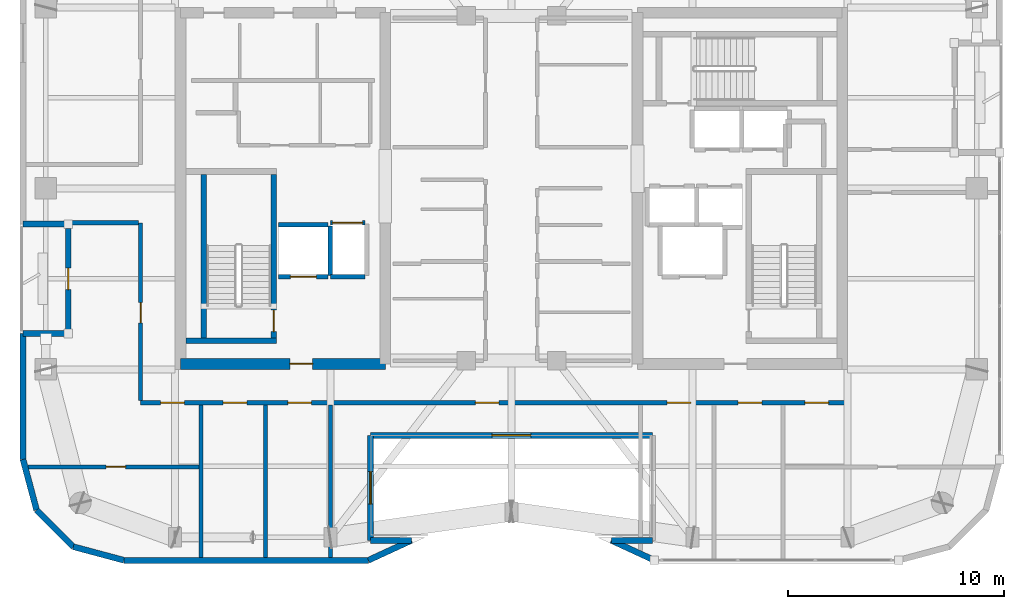
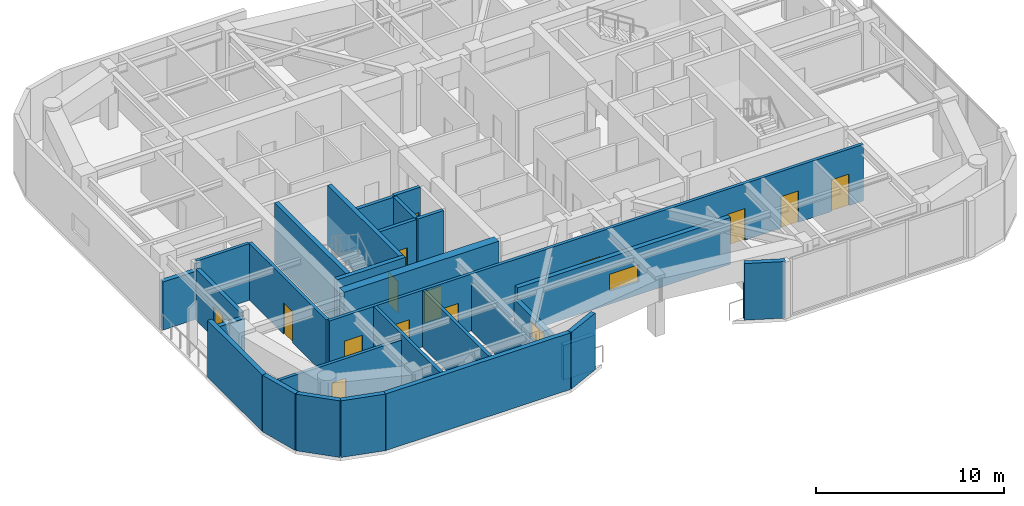
# One storey, part 10 of 16: 30 walls, 14 doors, 2 windows, 16 openings.
"""IFC4 building model written with IfcOpenShell, lengths in metres."""

from ifc_helpers import new_model, si_unit, direction, frame, frame_2d, origin, place, context, subcontext, project, spatial, rectangle, extrude, material, layer, layer_set, type_object, element, fill, save


model = new_model("IFC4")

# Units and contexts
model_context = context("Model", 3, precision=1e-05, world=origin(), true_north=direction((0.0, 1.0)))
body_context = subcontext(model_context, "Body", "Model", "MODEL_VIEW")
ifc_project = project(units=[si_unit("LENGTHUNIT", "METRE"), si_unit("AREAUNIT", "SQUARE_METRE"), si_unit("VOLUMEUNIT", "CUBIC_METRE"), si_unit("PLANEANGLEUNIT", "RADIAN"), si_unit("MASSUNIT", "GRAM", prefix="KILO")], contexts=[model_context])

# Site, building, storey
site_placement = place(None, origin())
site = spatial("IfcSite", under=ifc_project, at=site_placement, CompositionType="ELEMENT")
building_placement = place(site_placement, origin())
building = spatial("IfcBuilding", under=site, at=building_placement, Name="Kiyonajd Concourse Tower", CompositionType="ELEMENT")
storey_placement = place(building_placement, frame((0.0, 0.0, 298.5)))
storey = spatial("IfcBuildingStorey", under=building, at=storey_placement, Name="L75", CompositionType="ELEMENT", Elevation=298.5)

# Wall, opening, door
ifc_material_1 = material(Name="Concrete C60/75", Category="concrete")
ifc_layer_1 = layer(ifc_material_1, 0.5)
ifc_layer_set_1 = layer_set([ifc_layer_1], Name="Concrete C60/75")
wall_type_1 = type_object("IfcWallType", Name="WL-CORE-500", PredefinedType="SHEAR", material=ifc_layer_set_1)
wall_1_placement = place(storey_placement, frame((32.64990234375, 27.85009765625, 0.0), z_axis=(0.0, 0.0, 1.0), x_axis=(1.0, 0.0, 0.0)))
wall_1 = element("IfcWall", 1, at=wall_1_placement, inside=storey, type_object=wall_type_1, Name="L75 West Core South Shear Wall", PredefinedType="SHEAR", context=body_context, shape_type="SweptSolid", body=[
    extrude(rectangle(XDim=9.5, YDim=0.5, at=frame_2d((4.75, 0.0))), origin(), (0.0, 0.0, 1.0), 3.89990234375),
])
opening_1_placement = place(wall_1_placement, frame((5.074951171875, 0.0, 0.0)))
opening_1 = element("IfcOpeningElement", 2, at=opening_1_placement, cuts=wall_1, Name="Opening DF5", PredefinedType="OPENING", context=body_context, shape_type="SweptSolid", body=[
    extrude(rectangle(XDim=1.050048828125, YDim=2.0400390625, at=frame_2d((0.52490234375, 1.02001953125))), frame((0.0, 0.260009765625, 0.0), z_axis=(0.0, -1.0, 0.0), x_axis=(1.0, 0.0, 0.0)), (0.0, 0.0, 1.0), 0.52001953125),
])
ifc_material_2 = material(Name="Brushed Stainless Steel Cab Assembly", Category="steel")
door_type_1 = type_object("IfcDoorType", Name="DR-FD45-1050", OperationType="NOTDEFINED", PredefinedType="DOOR", material=ifc_material_2)
door_1_placement = place(opening_1_placement, origin())
door_1 = element("IfcDoor", 3, at=door_1_placement, inside=storey, type_object=door_type_1, Name="L75 Firefighting Lift Lobby W Smoke Door", OperationType="SINGLE_SWING_LEFT", OverallHeight=2.0400390625, OverallWidth=1.050048828125, PredefinedType="DOOR", context=body_context, shape_type="SweptSolid", body=[
    extrude(rectangle(XDim=1.050048828125, YDim=2.0400390625, at=frame_2d((0.52490234375, 1.02001953125))), frame((0.0, 0.02490234375, 0.0), z_axis=(0.0, -1.0, 0.0), x_axis=(1.0, 0.0, 0.0)), (0.0, 0.0, 1.0), 0.050048828125),
])
fill(opening_1, door_1)

# Walls
ifc_material_3 = material(Name="Precast concrete C50/60", Category="concrete")
ifc_layer_2 = layer(ifc_material_3, 0.280029296875)
ifc_layer_set_2 = layer_set([ifc_layer_2], Name="Precast concrete C50/60")
wall_type_2 = type_object("IfcWallType", Name="WL-EXT-280", PredefinedType="SOLIDWALL", material=ifc_layer_set_2)
wall_2_placement = place(storey_placement, frame((54.630615234375, 18.739990234375, 0.0), z_axis=(0.0, 0.0, 1.0), x_axis=(-0.9079593845, 0.419058177462, 0.0)))
element("IfcWall", 4, at=wall_2_placement, inside=storey, type_object=wall_type_2, Name="L75 Exterior Concrete Frame Wall 10", PredefinedType="SOLIDWALL", context=body_context, shape_type="SweptSolid", body=[
    extrude(rectangle(XDim=2.1953125, YDim=0.280029296875, at=frame_2d((1.09765625, 0.0))), origin(), (0.0, 0.0, 1.0), 3.679931640625),
])
wall_3_placement = place(storey_placement, frame((52.637451171875, 19.659912109375, 0.0), z_axis=(0.0, 0.0, 1.0), x_axis=(1.0, 0.0, 0.0)))
element("IfcWall", 5, at=wall_3_placement, inside=storey, type_object=wall_type_2, Name="L75 Exterior Concrete Frame Wall 11", PredefinedType="SOLIDWALL", context=body_context, shape_type="SweptSolid", body=[
    extrude(rectangle(XDim=1.902587890625, YDim=0.280029296875, at=frame_2d((0.951171875, 0.0))), origin(), (0.0, 0.0, 1.0), 2.264892578125),
])

# Wall, opening, window
wall_4_placement = place(storey_placement, frame((54.5400390625, 24.5400390625, 0.0), z_axis=(0.0, 0.0, 1.0), x_axis=(-1.0, 0.0, 0.0)))
wall_4 = element("IfcWall", 6, at=wall_4_placement, inside=storey, type_object=wall_type_2, Name="L75 Exterior Concrete Frame Wall 13", PredefinedType="SOLIDWALL", context=body_context, shape_type="SweptSolid", body=[
    extrude(rectangle(XDim=13.080078125, YDim=0.280029296875, at=frame_2d((6.5400390625, 0.0))), origin(), (0.0, 0.0, 1.0), 3.04296875),
])
opening_2_placement = place(wall_4_placement, frame((5.639892578125, 0.0, 0.85009765625)))
opening_2 = element("IfcOpeningElement", 7, at=opening_2_placement, cuts=wall_4, Name="Opening WN1", PredefinedType="OPENING", context=body_context, shape_type="SweptSolid", body=[
    extrude(rectangle(XDim=1.800048828125, YDim=1.10009765625, at=frame_2d((0.89990234375, 0.550048828125))), frame((0.0, 0.14990234375, 0.0), z_axis=(0.0, -1.0, 0.0), x_axis=(1.0, 0.0, 0.0)), (0.0, 0.0, 1.0), 0.300048828125),
])
ifc_material_4 = material(Name="Double Low-E Insulated Glass", Category="glass")
window_type_1 = type_object("IfcWindowType", Name="WN-VIS-1800x1100", PartitioningType="SINGLE_PANEL", PredefinedType="WINDOW", material=ifc_material_4)
window_1_placement = place(opening_2_placement, origin())
window_1 = element("IfcWindow", 8, at=window_1_placement, inside=storey, type_object=window_type_1, Name="L75 Modular Facade Vision Window 13", OverallHeight=1.10009765625, OverallWidth=1.800048828125, PartitioningType="SINGLE_PANEL", PredefinedType="WINDOW", context=body_context, shape_type="SweptSolid", body=[
    extrude(rectangle(XDim=1.800048828125, YDim=1.10009765625, at=frame_2d((0.89990234375, 0.550048828125))), frame((0.0, 0.030029296875, 0.0), z_axis=(0.0, -1.0, 0.0), x_axis=(1.0, 0.0, 0.0)), (0.0, 0.0, 1.0), 0.06005859375),
])
fill(opening_2, window_1)

wall_5_placement = place(storey_placement, frame((41.4599609375, 24.5400390625, 0.0), z_axis=(0.0, 0.0, 1.0), x_axis=(0.0, -1.0, 0.0)))
wall_5 = element("IfcWall", 9, at=wall_5_placement, inside=storey, type_object=wall_type_2, Name="L75 Exterior Concrete Frame Wall 14", PredefinedType="SOLIDWALL", context=body_context, shape_type="SweptSolid", body=[
    extrude(rectangle(XDim=4.880126953125, YDim=0.280029296875, at=frame_2d((2.43994140625, 0.0))), origin(), (0.0, 0.0, 1.0), 2.264892578125),
])
opening_3_placement = place(wall_5_placement, frame((1.68994140625, 0.0, 0.85009765625)))
opening_3 = element("IfcOpeningElement", 10, at=opening_3_placement, cuts=wall_5, Name="Opening WN2", PredefinedType="OPENING", context=body_context, shape_type="SweptSolid", body=[
    extrude(rectangle(XDim=1.5, YDim=1.10009765625, at=frame_2d((0.75, 0.550048828125))), frame((0.0, 0.14990234375, 0.0), z_axis=(0.0, -1.0, 0.0), x_axis=(1.0, 0.0, 0.0)), (0.0, 0.0, 1.0), 0.300048828125),
])
window_type_2 = type_object("IfcWindowType", Name="WN-VIS-1500x1100", PartitioningType="SINGLE_PANEL", PredefinedType="WINDOW", material=ifc_material_4)
window_2_placement = place(opening_3_placement, origin())
window_2 = element("IfcWindow", 11, at=window_2_placement, inside=storey, type_object=window_type_2, Name="L75 Modular Facade Vision Window 14", OverallHeight=1.10009765625, OverallWidth=1.5, PartitioningType="SINGLE_PANEL", PredefinedType="WINDOW", context=body_context, shape_type="SweptSolid", body=[
    extrude(rectangle(XDim=1.5, YDim=1.10009765625, at=frame_2d((0.75, 0.550048828125))), frame((0.0, 0.030029296875, 0.0), z_axis=(0.0, -1.0, 0.0), x_axis=(1.0, 0.0, 0.0)), (0.0, 0.0, 1.0), 0.06005859375),
])
fill(opening_3, window_2)

# Walls
wall_6_placement = place(storey_placement, frame((41.4599609375, 19.659912109375, 0.0), z_axis=(0.0, 0.0, 1.0), x_axis=(1.0, 0.0, 0.0)))
element("IfcWall", 12, at=wall_6_placement, inside=storey, type_object=wall_type_2, Name="L75 Exterior Concrete Frame Wall 15", PredefinedType="SOLIDWALL", context=body_context, shape_type="SweptSolid", body=[
    extrude(rectangle(XDim=1.902587890625, YDim=0.280029296875, at=frame_2d((0.951171875, 0.0))), origin(), (0.0, 0.0, 1.0), 2.264892578125),
])
wall_7_placement = place(storey_placement, frame((43.362548828125, 19.659912109375, 0.0), z_axis=(0.0, 0.0, 1.0), x_axis=(-0.9079593845, -0.419058177462, 0.0)))
element("IfcWall", 13, at=wall_7_placement, inside=storey, type_object=wall_type_2, Name="L75 Exterior Concrete Frame Wall 16", PredefinedType="SOLIDWALL", context=body_context, shape_type="SweptSolid", body=[
    extrude(rectangle(XDim=2.1953125, YDim=0.280029296875, at=frame_2d((1.09765625, 0.0))), origin(), (0.0, 0.0, 1.0), 3.679931640625),
])
wall_8_placement = place(storey_placement, frame((41.369384765625, 18.739990234375, 0.0), z_axis=(0.0, 0.0, 1.0), x_axis=(-1.0, 0.0, 0.0)))
element("IfcWall", 14, at=wall_8_placement, inside=storey, type_object=wall_type_2, Name="L75 Exterior Concrete Frame Wall 17", PredefinedType="SOLIDWALL", context=body_context, shape_type="SweptSolid", body=[
    extrude(rectangle(XDim=11.35107421875, YDim=0.280029296875, at=frame_2d((5.675537109375, 0.0))), origin(), (0.0, 0.0, 1.0), 3.679931640625),
])
wall_9_placement = place(storey_placement, frame((30.018310546875, 18.739990234375, 0.0), z_axis=(0.0, 0.0, 1.0), x_axis=(-0.965937282298, 0.25877628691, 0.0)))
element("IfcWall", 15, at=wall_9_placement, inside=storey, type_object=wall_type_2, Name="L75 Exterior Concrete Frame Wall 18", PredefinedType="SOLIDWALL", context=body_context, shape_type="SweptSolid", body=[
    extrude(rectangle(XDim=2.428466796875, YDim=0.280029296875, at=frame_2d((1.21435546875, 0.0))), origin(), (0.0, 0.0, 1.0), 3.679931640625),
])
wall_10_placement = place(storey_placement, frame((27.672607421875, 19.368408203125, 0.0), z_axis=(0.0, 0.0, 1.0), x_axis=(-0.707106781187, 0.707106781187, 0.0)))
element("IfcWall", 16, at=wall_10_placement, inside=storey, type_object=wall_type_2, Name="L75 Exterior Concrete Frame Wall 19", PredefinedType="SOLIDWALL", context=body_context, shape_type="SweptSolid", body=[
    extrude(rectangle(XDim=2.409912109375, YDim=0.280029296875, at=frame_2d((1.205078125, 0.0))), origin(), (0.0, 0.0, 1.0), 3.679931640625),
])
wall_11_placement = place(storey_placement, frame((25.968505859375, 21.072509765625, 0.0), z_axis=(0.0, 0.0, 1.0), x_axis=(-0.258751159445, 0.965944013639, 0.0)))
element("IfcWall", 17, at=wall_11_placement, inside=storey, type_object=wall_type_2, Name="L75 Exterior Concrete Frame Wall 20", PredefinedType="SOLIDWALL", context=body_context, shape_type="SweptSolid", body=[
    extrude(rectangle(XDim=2.4287109375, YDim=0.280029296875, at=frame_2d((1.21435546875, 0.0))), origin(), (0.0, 0.0, 1.0), 3.679931640625),
])
wall_12_placement = place(storey_placement, frame((25.340087890625, 23.41845703125, 0.0), z_axis=(0.0, 0.0, 1.0), x_axis=(0.0, 1.0, 0.0)))
element("IfcWall", 18, at=wall_12_placement, inside=storey, type_object=wall_type_2, Name="L75 Exterior Concrete Frame Wall 21", PredefinedType="SOLIDWALL", context=body_context, shape_type="SweptSolid", body=[
    extrude(rectangle(XDim=5.841552734375, YDim=0.280029296875, at=frame_2d((2.9208984375, 0.0))), origin(), (0.0, 0.0, 1.0), 3.679931640625),
])
for number, where, z_axis, x_axis, name in (
    (19, (25.340087890625, 29.260009765625, 0.0), (0.0, 0.0, 1.0), (1.0, 0.0, 0.0), "L75 Exterior Concrete Frame Wall 22"),
    (20, (27.43994140625, 34.340087890625, 0.0), (0.0, 0.0, 1.0), (-1.0, 0.0, 0.0), "L75 Exterior Concrete Frame Wall 24"),
):
    element("IfcWall", number, at=place(storey_placement, frame(where, z_axis=z_axis, x_axis=x_axis)), inside=storey, type_object=wall_type_2, Name=name, PredefinedType="SOLIDWALL", context=body_context, shape_type="SweptSolid", body=[
        extrude(rectangle(XDim=2.099853515625, YDim=0.280029296875, at=frame_2d((1.0498046875, 0.0))), origin(), (0.0, 0.0, 1.0), 3.1259765625),
    ])

# Wall, opening, door
ifc_layer_3 = layer(ifc_material_3, 0.239990234375)
ifc_layer_set_3 = layer_set([ifc_layer_3], Name="Precast concrete C50/60")
wall_type_3 = type_object("IfcWallType", Name="WL-LOG-240", PredefinedType="SOLIDWALL", material=ifc_layer_set_3)
wall_13_placement = place(storey_placement, frame((27.43994140625, 29.455078125, 0.0), z_axis=(0.0, 0.0, 1.0), x_axis=(0.0, 1.0, 0.0)))
wall_13 = element("IfcWall", 21, at=wall_13_placement, inside=storey, type_object=wall_type_3, Name="L75 Recessed Loggia Thermal Wall LOG-W", PredefinedType="SOLIDWALL", context=body_context, shape_type="SweptSolid", body=[
    extrude(rectangle(XDim=4.68994140625, YDim=0.239990234375, at=frame_2d((2.344970703125, 0.0))), origin(), (0.0, 0.0, 1.0), 3.31103515625),
])
opening_4_placement = place(wall_13_placement, frame((1.844970703125, 0.0, 0.0)))
opening_4 = element("IfcOpeningElement", 22, at=opening_4_placement, cuts=wall_13, Name="Opening DL1", PredefinedType="OPENING", context=body_context, shape_type="SweptSolid", body=[
    extrude(rectangle(XDim=1.0, YDim=2.02001953125, at=frame_2d((0.5, 1.010009765625))), frame((0.0, 0.1298828125, 0.0), z_axis=(0.0, -1.0, 0.0), x_axis=(1.0, 0.0, 0.0)), (0.0, 0.0, 1.0), 0.260009765625),
])
ifc_material_5 = material(Name="Thermally Broken Anodised Aluminium", Category="aluminium")
door_type_2 = type_object("IfcDoorType", Name="DR-LOG-1000", OperationType="NOTDEFINED", PredefinedType="DOOR", material=ifc_material_5)
door_2_placement = place(opening_4_placement, origin())
door_2 = element("IfcDoor", 23, at=door_2_placement, inside=storey, type_object=door_type_2, Name="L75 Engawa Loggia Access Door LOG-W", OperationType="SINGLE_SWING_LEFT", OverallHeight=2.02001953125, OverallWidth=1.0, PredefinedType="DOOR", context=body_context, shape_type="SweptSolid", body=[
    extrude(rectangle(XDim=1.0, YDim=2.02001953125, at=frame_2d((0.5, 1.010009765625))), frame((0.0, 0.02490234375, 0.0), z_axis=(0.0, -1.0, 0.0), x_axis=(1.0, 0.0, 0.0)), (0.0, 0.0, 1.0), 0.050048828125),
])
fill(opening_4, door_2)

# Wall, openings, doors
ifc_material_6 = material(Name="Gypsum Board on Cold-Formed Steel Stud", Category="steel")
ifc_layer_4 = layer(ifc_material_6, 0.18994140625)
ifc_layer_set_4 = layer_set([ifc_layer_4], Name="Gypsum Board on Cold-Formed Steel Stud")
wall_type_4 = type_object("IfcWallType", Name="WL-PLMB-190", PredefinedType="PLUMBINGWALL", material=ifc_layer_set_4)
wall_14_placement = place(storey_placement, frame((30.800048828125, 26.050048828125, 0.0), z_axis=(0.0, 0.0, 1.0), x_axis=(1.0, 0.0, 0.0)))
wall_14 = element("IfcWall", 24, at=wall_14_placement, inside=storey, type_object=wall_type_4, Name="L75 Interior Partition Wall", PredefinedType="PLUMBINGWALL", context=body_context, shape_type="SweptSolid", body=[
    extrude(rectangle(XDim=32.800048828125, YDim=0.18994140625, at=frame_2d((16.39990234375, 0.0))), origin(), (0.0, 0.0, 1.0), 3.679931640625),
])
opening_5_placement = place(wall_14_placement, frame((0.925048828125, 0.0, 0.0)))
opening_5 = element("IfcOpeningElement", 25, at=opening_5_placement, cuts=wall_14, Name="Opening DF2", PredefinedType="OPENING", context=body_context, shape_type="SweptSolid", body=[
    extrude(rectangle(XDim=1.10009765625, YDim=2.050048828125, at=frame_2d((0.550048828125, 1.02490234375))), frame((0.0, 0.10498046875, 0.0), z_axis=(0.0, -1.0, 0.0), x_axis=(1.0, 0.0, 0.0)), (0.0, 0.0, 1.0), 0.2099609375),
])
opening_6_placement = place(wall_14_placement, frame((3.824951171875, 0.0, 0.0)))
opening_6 = element("IfcOpeningElement", 26, at=opening_6_placement, cuts=wall_14, Name="Opening DF2", PredefinedType="OPENING", context=body_context, shape_type="SweptSolid", body=[
    extrude(rectangle(XDim=1.10009765625, YDim=2.050048828125, at=frame_2d((0.550048828125, 1.02490234375))), frame((0.0, 0.10498046875, 0.0), z_axis=(0.0, -1.0, 0.0), x_axis=(1.0, 0.0, 0.0)), (0.0, 0.0, 1.0), 0.2099609375),
])
opening_7_placement = place(wall_14_placement, frame((6.824951171875, 0.0, 0.0)))
opening_7 = element("IfcOpeningElement", 27, at=opening_7_placement, cuts=wall_14, Name="Opening DF2", PredefinedType="OPENING", context=body_context, shape_type="SweptSolid", body=[
    extrude(rectangle(XDim=1.10009765625, YDim=2.050048828125, at=frame_2d((0.550048828125, 1.02490234375))), frame((0.0, 0.10498046875, 0.0), z_axis=(0.0, -1.0, 0.0), x_axis=(1.0, 0.0, 0.0)), (0.0, 0.0, 1.0), 0.2099609375),
])
opening_8_placement = place(wall_14_placement, frame((15.52490234375, 0.0, 0.0)))
opening_8 = element("IfcOpeningElement", 28, at=opening_8_placement, cuts=wall_14, Name="Opening DF2", PredefinedType="OPENING", context=body_context, shape_type="SweptSolid", body=[
    extrude(rectangle(XDim=1.10009765625, YDim=2.050048828125, at=frame_2d((0.550048828125, 1.02490234375))), frame((0.0, 0.10498046875, 0.0), z_axis=(0.0, -1.0, 0.0), x_axis=(1.0, 0.0, 0.0)), (0.0, 0.0, 1.0), 0.2099609375),
])
opening_9_placement = place(wall_14_placement, frame((24.425048828125, 0.0, 0.0)))
opening_9 = element("IfcOpeningElement", 29, at=opening_9_placement, cuts=wall_14, Name="Opening DF2", PredefinedType="OPENING", context=body_context, shape_type="SweptSolid", body=[
    extrude(rectangle(XDim=1.10009765625, YDim=2.050048828125, at=frame_2d((0.550048828125, 1.02490234375))), frame((0.0, 0.10498046875, 0.0), z_axis=(0.0, -1.0, 0.0), x_axis=(1.0, 0.0, 0.0)), (0.0, 0.0, 1.0), 0.2099609375),
])
opening_10_placement = place(wall_14_placement, frame((27.72509765625, 0.0, 0.0)))
opening_10 = element("IfcOpeningElement", 30, at=opening_10_placement, cuts=wall_14, Name="Opening DF2", PredefinedType="OPENING", context=body_context, shape_type="SweptSolid", body=[
    extrude(rectangle(XDim=1.10009765625, YDim=2.050048828125, at=frame_2d((0.550048828125, 1.02490234375))), frame((0.0, 0.10498046875, 0.0), z_axis=(0.0, -1.0, 0.0), x_axis=(1.0, 0.0, 0.0)), (0.0, 0.0, 1.0), 0.2099609375),
])
opening_11_placement = place(wall_14_placement, frame((30.824951171875, 0.0, 0.0)))
opening_11 = element("IfcOpeningElement", 31, at=opening_11_placement, cuts=wall_14, Name="Opening DF2", PredefinedType="OPENING", context=body_context, shape_type="SweptSolid", body=[
    extrude(rectangle(XDim=1.10009765625, YDim=2.050048828125, at=frame_2d((0.550048828125, 1.02490234375))), frame((0.0, 0.10498046875, 0.0), z_axis=(0.0, -1.0, 0.0), x_axis=(1.0, 0.0, 0.0)), (0.0, 0.0, 1.0), 0.2099609375),
])
door_type_3 = type_object("IfcDoorType", Name="DR-FD90-1100", OperationType="NOTDEFINED", PredefinedType="DOOR", material=ifc_material_2)
door_3_placement = place(opening_5_placement, origin())
door_3 = element("IfcDoor", 32, at=door_3_placement, inside=storey, type_object=door_type_3, Name="L75 Interior Door", OperationType="SINGLE_SWING_RIGHT", OverallHeight=2.050048828125, OverallWidth=1.10009765625, PredefinedType="DOOR", context=body_context, shape_type="SweptSolid", body=[
    extrude(rectangle(XDim=1.10009765625, YDim=2.050048828125, at=frame_2d((0.550048828125, 1.02490234375))), frame((0.0, 0.02490234375, 0.0), z_axis=(0.0, -1.0, 0.0), x_axis=(1.0, 0.0, 0.0)), (0.0, 0.0, 1.0), 0.050048828125),
])
fill(opening_5, door_3)
door_4_placement = place(opening_6_placement, origin())
door_4 = element("IfcDoor", 33, at=door_4_placement, inside=storey, type_object=door_type_3, Name="L75 Interior Door", OperationType="SINGLE_SWING_LEFT", OverallHeight=2.050048828125, OverallWidth=1.10009765625, PredefinedType="DOOR", context=body_context, shape_type="SweptSolid", body=[
    extrude(rectangle(XDim=1.10009765625, YDim=2.050048828125, at=frame_2d((0.550048828125, 1.02490234375))), frame((0.0, 0.02490234375, 0.0), z_axis=(0.0, -1.0, 0.0), x_axis=(1.0, 0.0, 0.0)), (0.0, 0.0, 1.0), 0.050048828125),
])
fill(opening_6, door_4)
door_5_placement = place(opening_7_placement, origin())
door_5 = element("IfcDoor", 34, at=door_5_placement, inside=storey, type_object=door_type_3, Name="L75 Interior Door", OperationType="SINGLE_SWING_RIGHT", OverallHeight=2.050048828125, OverallWidth=1.10009765625, PredefinedType="DOOR", context=body_context, shape_type="SweptSolid", body=[
    extrude(rectangle(XDim=1.10009765625, YDim=2.050048828125, at=frame_2d((0.550048828125, 1.02490234375))), frame((0.0, 0.02490234375, 0.0), z_axis=(0.0, -1.0, 0.0), x_axis=(1.0, 0.0, 0.0)), (0.0, 0.0, 1.0), 0.050048828125),
])
fill(opening_7, door_5)
door_6_placement = place(opening_8_placement, origin())
door_6 = element("IfcDoor", 35, at=door_6_placement, inside=storey, type_object=door_type_3, Name="L75 Interior Door", OperationType="SINGLE_SWING_LEFT", OverallHeight=2.050048828125, OverallWidth=1.10009765625, PredefinedType="DOOR", context=body_context, shape_type="SweptSolid", body=[
    extrude(rectangle(XDim=1.10009765625, YDim=2.050048828125, at=frame_2d((0.550048828125, 1.02490234375))), frame((0.0, 0.02490234375, 0.0), z_axis=(0.0, -1.0, 0.0), x_axis=(1.0, 0.0, 0.0)), (0.0, 0.0, 1.0), 0.050048828125),
])
fill(opening_8, door_6)
door_7_placement = place(opening_9_placement, origin())
door_7 = element("IfcDoor", 36, at=door_7_placement, inside=storey, type_object=door_type_3, Name="L75 Interior Door", OperationType="SINGLE_SWING_RIGHT", OverallHeight=2.050048828125, OverallWidth=1.10009765625, PredefinedType="DOOR", context=body_context, shape_type="SweptSolid", body=[
    extrude(rectangle(XDim=1.10009765625, YDim=2.050048828125, at=frame_2d((0.550048828125, 1.02490234375))), frame((0.0, 0.02490234375, 0.0), z_axis=(0.0, -1.0, 0.0), x_axis=(1.0, 0.0, 0.0)), (0.0, 0.0, 1.0), 0.050048828125),
])
fill(opening_9, door_7)
door_8_placement = place(opening_10_placement, origin())
door_8 = element("IfcDoor", 37, at=door_8_placement, inside=storey, type_object=door_type_3, Name="L75 Interior Door", OperationType="SINGLE_SWING_LEFT", OverallHeight=2.050048828125, OverallWidth=1.10009765625, PredefinedType="DOOR", context=body_context, shape_type="SweptSolid", body=[
    extrude(rectangle(XDim=1.10009765625, YDim=2.050048828125, at=frame_2d((0.550048828125, 1.02490234375))), frame((0.0, 0.02490234375, 0.0), z_axis=(0.0, -1.0, 0.0), x_axis=(1.0, 0.0, 0.0)), (0.0, 0.0, 1.0), 0.050048828125),
])
fill(opening_10, door_8)
door_9_placement = place(opening_11_placement, origin())
door_9 = element("IfcDoor", 38, at=door_9_placement, inside=storey, type_object=door_type_3, Name="L75 Interior Door", OperationType="SINGLE_SWING_LEFT", OverallHeight=2.050048828125, OverallWidth=1.10009765625, PredefinedType="DOOR", context=body_context, shape_type="SweptSolid", body=[
    extrude(rectangle(XDim=1.10009765625, YDim=2.050048828125, at=frame_2d((0.550048828125, 1.02490234375))), frame((0.0, 0.02490234375, 0.0), z_axis=(0.0, -1.0, 0.0), x_axis=(1.0, 0.0, 0.0)), (0.0, 0.0, 1.0), 0.050048828125),
])
fill(opening_11, door_9)

# Wall, opening, door
wall_15_placement = place(storey_placement, frame((30.800048828125, 26.14697265625, 0.0), z_axis=(0.0, 0.0, 1.0), x_axis=(0.0, 1.0, 0.0)))
wall_15 = element("IfcWall", 39, at=wall_15_placement, inside=storey, type_object=wall_type_4, Name="L75 Interior Partition Wall", PredefinedType="PLUMBINGWALL", context=body_context, shape_type="SweptSolid", body=[
    extrude(rectangle(XDim=8.2529296875, YDim=0.18994140625, at=frame_2d((4.12646484375, 0.0))), origin(), (0.0, 0.0, 1.0), 3.679931640625),
])
opening_12_placement = place(wall_15_placement, frame((3.60302734375, 0.0, 0.0)))
opening_12 = element("IfcOpeningElement", 40, at=opening_12_placement, cuts=wall_15, Name="Opening DI1", PredefinedType="OPENING", context=body_context, shape_type="SweptSolid", body=[
    extrude(rectangle(XDim=0.949951171875, YDim=2.0400390625, at=frame_2d((0.47509765625, 1.02001953125))), frame((0.0, 0.10498046875, 0.0), z_axis=(0.0, -1.0, 0.0), x_axis=(1.0, 0.0, 0.0)), (0.0, 0.0, 1.0), 0.2099609375),
])
ifc_material_7 = material(Name="Natural Oak Acoustic Timber Veneer", Category="wood")
door_type_4 = type_object("IfcDoorType", Name="DR-INT-950", OperationType="NOTDEFINED", PredefinedType="DOOR", material=ifc_material_7)
door_10_placement = place(opening_12_placement, origin())
door_10 = element("IfcDoor", 41, at=door_10_placement, inside=storey, type_object=door_type_4, Name="L75 Interior Door", OperationType="SINGLE_SWING_LEFT", OverallHeight=2.0400390625, OverallWidth=0.949951171875, PredefinedType="DOOR", context=body_context, shape_type="SweptSolid", body=[
    extrude(rectangle(XDim=0.949951171875, YDim=2.0400390625, at=frame_2d((0.47509765625, 1.02001953125))), frame((0.0, 0.02490234375, 0.0), z_axis=(0.0, -1.0, 0.0), x_axis=(1.0, 0.0, 0.0)), (0.0, 0.0, 1.0), 0.050048828125),
])
fill(opening_12, door_10)

wall_16_placement = place(storey_placement, frame((25.574951171875, 23.070068359375, 0.0), z_axis=(0.0, 0.0, 1.0), x_axis=(1.0, 0.0, 0.0)))
wall_16 = element("IfcWall", 42, at=wall_16_placement, inside=storey, type_object=wall_type_4, Name="L75 Interior Partition Wall", PredefinedType="PLUMBINGWALL", context=body_context, shape_type="SweptSolid", body=[
    extrude(rectangle(XDim=8.025146484375, YDim=0.18994140625, at=frame_2d((4.0126953125, 0.0))), origin(), (0.0, 0.0, 1.0), 3.31103515625),
])
opening_13_placement = place(wall_16_placement, frame((3.625, 0.0, 0.0)))
opening_13 = element("IfcOpeningElement", 43, at=opening_13_placement, cuts=wall_16, Name="Opening DI2", PredefinedType="OPENING", context=body_context, shape_type="SweptSolid", body=[
    extrude(rectangle(XDim=0.89990234375, YDim=2.02001953125, at=frame_2d((0.449951171875, 1.010009765625))), frame((0.0, 0.10498046875, 0.0), z_axis=(0.0, -1.0, 0.0), x_axis=(1.0, 0.0, 0.0)), (0.0, 0.0, 1.0), 0.2099609375),
])
door_type_5 = type_object("IfcDoorType", Name="DR-INT-900", OperationType="NOTDEFINED", PredefinedType="DOOR", material=ifc_material_7)
door_11_placement = place(opening_13_placement, origin())
door_11 = element("IfcDoor", 44, at=door_11_placement, inside=storey, type_object=door_type_5, Name="L75 Interior Door", OperationType="SINGLE_SWING_LEFT", OverallHeight=2.02001953125, OverallWidth=0.89990234375, PredefinedType="DOOR", context=body_context, shape_type="SweptSolid", body=[
    extrude(rectangle(XDim=0.89990234375, YDim=2.02001953125, at=frame_2d((0.449951171875, 1.010009765625))), frame((0.0, 0.02490234375, 0.0), z_axis=(0.0, -1.0, 0.0), x_axis=(1.0, 0.0, 0.0)), (0.0, 0.0, 1.0), 0.050048828125),
])
fill(opening_13, door_11)

# Walls
for number, where, z_axis, x_axis, name in (
    (45, (33.60009765625, 18.875, 0.0), (0.0, 0.0, 1.0), (0.0, 1.0, 0.0), "L75 Interior Partition Wall"),
    (46, (36.60009765625, 18.875, 0.0), (0.0, 0.0, 1.0), (0.0, 1.0, 0.0), "L75 Interior Partition Wall"),
):
    element("IfcWall", number, at=place(storey_placement, frame(where, z_axis=z_axis, x_axis=x_axis)), inside=storey, type_object=wall_type_4, Name=name, PredefinedType="PLUMBINGWALL", context=body_context, shape_type="SweptSolid", body=[
        extrude(rectangle(XDim=7.077880859375, YDim=0.18994140625, at=frame_2d((3.5390625, 0.0))), origin(), (0.0, 0.0, 1.0), 3.679931640625),
    ])
wall_17_placement = place(storey_placement, frame((39.60009765625, 18.875, 0.0), z_axis=(0.0, 0.0, 1.0), x_axis=(0.0, 1.0, 0.0)))
element("IfcWall", 47, at=wall_17_placement, inside=storey, type_object=wall_type_4, Name="L75 Interior Partition Wall", PredefinedType="PLUMBINGWALL", context=body_context, shape_type="SweptSolid", body=[
    extrude(rectangle(XDim=7.077880859375, YDim=0.18994140625, at=frame_2d((3.5390625, 0.0))), origin(), (0.0, 0.0, 1.0), 3.04296875),
])
wall_18_placement = place(storey_placement, frame((27.43994140625, 34.39990234375, 0.0), z_axis=(0.0, 0.0, 1.0), x_axis=(1.0, 0.0, 0.0)))
element("IfcWall", 48, at=wall_18_placement, inside=storey, type_object=wall_type_4, Name="L75 Interior Partition Wall", PredefinedType="PLUMBINGWALL", context=body_context, shape_type="SweptSolid", body=[
    extrude(rectangle(XDim=3.262939453125, YDim=0.18994140625, at=frame_2d((1.63134765625, 0.0))), origin(), (0.0, 0.0, 1.0), 3.679931640625),
])

# Wall, opening, door
ifc_layer_5 = layer(ifc_material_6, 0.2099609375)
ifc_layer_set_5 = layer_set([ifc_layer_5], Name="Gypsum Board on Cold-Formed Steel Stud")
wall_type_5 = type_object("IfcWallType", Name="WL-SHAFT-210", PredefinedType="PARTITIONING", material=ifc_layer_set_5)
wall_19_placement = place(storey_placement, frame((37.199951171875, 31.89990234375, 0.0), z_axis=(0.0, 0.0, 1.0), x_axis=(1.0, 0.0, 0.0)))
wall_19 = element("IfcWall", 49, at=wall_19_placement, inside=storey, type_object=wall_type_5, Name="L75 Shaft Enclosure Wall", PredefinedType="PARTITIONING", context=body_context, shape_type="SweptSolid", body=[
    extrude(rectangle(XDim=2.300048828125, YDim=0.2099609375, at=frame_2d((1.14990234375, 0.0))), origin(), (0.0, 0.0, 1.0), 3.679931640625),
])
opening_14_placement = place(wall_19_placement, frame((0.550048828125, 0.0, 0.0)))
opening_14 = element("IfcOpeningElement", 50, at=opening_14_placement, cuts=wall_19, Name="Opening LD2", PredefinedType="OPENING", context=body_context, shape_type="SweptSolid", body=[
    extrude(rectangle(XDim=1.199951171875, YDim=2.0400390625, at=frame_2d((0.60009765625, 1.02001953125))), frame((0.0, 0.114990234375, 0.0), z_axis=(0.0, -1.0, 0.0), x_axis=(1.0, 0.0, 0.0)), (0.0, 0.0, 1.0), 0.22998046875),
])
door_type_6 = type_object("IfcDoorType", Name="DR-LD-1200", OperationType="DOUBLE_DOOR_SLIDING", PredefinedType="DOOR", material=ifc_material_2)
door_12_placement = place(opening_14_placement, origin())
door_12 = element("IfcDoor", 51, at=door_12_placement, inside=storey, type_object=door_type_6, Name="L75 Lift FFL1 Sliding Landing Door", OperationType="DOUBLE_DOOR_SLIDING", OverallHeight=2.0400390625, OverallWidth=1.199951171875, PredefinedType="DOOR", context=body_context, shape_type="SweptSolid", body=[
    extrude(rectangle(XDim=1.199951171875, YDim=2.0400390625, at=frame_2d((0.60009765625, 1.02001953125))), frame((0.0, 0.02490234375, 0.0), z_axis=(0.0, -1.0, 0.0), x_axis=(1.0, 0.0, 0.0)), (0.0, 0.0, 1.0), 0.050048828125),
])
fill(opening_14, door_12)

# Walls
wall_20_placement = place(storey_placement, frame((37.199951171875, 34.300048828125, 0.0), z_axis=(0.0, 0.0, 1.0), x_axis=(1.0, 0.0, 0.0)))
element("IfcWall", 52, at=wall_20_placement, inside=storey, type_object=wall_type_5, Name="L75 Shaft Enclosure Wall", PredefinedType="PARTITIONING", context=body_context, shape_type="SweptSolid", body=[
    extrude(rectangle(XDim=2.300048828125, YDim=0.2099609375, at=frame_2d((1.14990234375, 0.0))), origin(), (0.0, 0.0, 1.0), 3.679931640625),
])
wall_21_placement = place(storey_placement, frame((39.60009765625, 31.9599609375, 0.0), z_axis=(0.0, 0.0, 1.0), x_axis=(0.0, 1.0, 0.0)))
element("IfcWall", 53, at=wall_21_placement, inside=storey, type_object=wall_type_5, Name="L75 Shaft Enclosure Wall", PredefinedType="PARTITIONING", context=body_context, shape_type="SweptSolid", body=[
    extrude(rectangle(XDim=2.280029296875, YDim=0.2099609375, at=frame_2d((1.14013671875, 0.0))), origin(), (0.0, 0.0, 1.0), 3.679931640625),
])

# Wall, opening, door
wall_22_placement = place(storey_placement, frame((39.60009765625, 34.39990234375, 0.0), z_axis=(0.0, 0.0, 1.0), x_axis=(1.0, 0.0, 0.0)))
wall_22 = element("IfcWall", 54, at=wall_22_placement, inside=storey, type_object=wall_type_5, Name="L75 Shaft Enclosure Wall", PredefinedType="PARTITIONING", context=body_context, shape_type="SweptSolid", body=[
    extrude(rectangle(XDim=1.599853515625, YDim=0.2099609375, at=frame_2d((0.7998046875, 0.0))), origin(), (0.0, 0.0, 1.0), 3.679931640625),
])
opening_15_placement = place(wall_22_placement, frame((0.10009765625, 0.0, 0.0)))
opening_15 = element("IfcOpeningElement", 55, at=opening_15_placement, cuts=wall_22, Name="Opening LD3", PredefinedType="OPENING", context=body_context, shape_type="SweptSolid", body=[
    extrude(rectangle(XDim=1.39990234375, YDim=2.06005859375, at=frame_2d((0.699951171875, 1.030029296875))), frame((0.0, 0.114990234375, 0.0), z_axis=(0.0, -1.0, 0.0), x_axis=(1.0, 0.0, 0.0)), (0.0, 0.0, 1.0), 0.22998046875),
])
door_type_7 = type_object("IfcDoorType", Name="DR-LD-1400", OperationType="DOUBLE_DOOR_SLIDING", PredefinedType="DOOR", material=ifc_material_2)
door_13_placement = place(opening_15_placement, origin())
door_13 = element("IfcDoor", 56, at=door_13_placement, inside=storey, type_object=door_type_7, Name="L75 Lift SVL1 Sliding Landing Door", OperationType="DOUBLE_DOOR_SLIDING", OverallHeight=2.06005859375, OverallWidth=1.39990234375, PredefinedType="DOOR", context=body_context, shape_type="SweptSolid", body=[
    extrude(rectangle(XDim=1.39990234375, YDim=2.06005859375, at=frame_2d((0.699951171875, 1.030029296875))), frame((0.0, 0.02490234375, 0.0), z_axis=(0.0, -1.0, 0.0), x_axis=(1.0, 0.0, 0.0)), (0.0, 0.0, 1.0), 0.050048828125),
])
fill(opening_15, door_13)

# Walls
wall_23_placement = place(storey_placement, frame((39.60009765625, 31.89990234375, 0.0), z_axis=(0.0, 0.0, 1.0), x_axis=(1.0, 0.0, 0.0)))
element("IfcWall", 57, at=wall_23_placement, inside=storey, type_object=wall_type_5, Name="L75 Shaft Enclosure Wall", PredefinedType="PARTITIONING", context=body_context, shape_type="SweptSolid", body=[
    extrude(rectangle(XDim=1.599853515625, YDim=0.2099609375, at=frame_2d((0.7998046875, 0.0))), origin(), (0.0, 0.0, 1.0), 3.679931640625),
])
ifc_material_8 = material(Name="Concrete C50/60", Category="concrete")
ifc_layer_6 = layer(ifc_material_8, 0.260009765625)
ifc_layer_set_6 = layer_set([ifc_layer_6], Name="Concrete C50/60")
wall_type_6 = type_object("IfcWallType", Name="WL-STAIR-260", PredefinedType="SHEAR", material=ifc_layer_set_6)
wall_24_placement = place(storey_placement, frame((32.89990234375, 28.919921875, 0.0), z_axis=(0.0, 0.0, 1.0), x_axis=(1.0, 0.0, 0.0)))
element("IfcWall", 58, at=wall_24_placement, inside=storey, type_object=wall_type_6, Name="L75 Stair ST1 Structural South Wall", PredefinedType="SHEAR", context=body_context, shape_type="SweptSolid", body=[
    extrude(rectangle(XDim=4.210205078125, YDim=0.260009765625, at=frame_2d((2.10498046875, 0.0))), origin(), (0.0, 0.0, 1.0), 3.89990234375),
])
wall_25_placement = place(storey_placement, frame((33.719970703125, 29.050048828125, 0.0), z_axis=(0.0, 0.0, 1.0), x_axis=(0.0, 1.0, 0.0)))
element("IfcWall", 59, at=wall_25_placement, inside=storey, type_object=wall_type_6, Name="L75 Stair ST1 Structural West Wall", PredefinedType="SHEAR", context=body_context, shape_type="SweptSolid", body=[
    extrude(rectangle(XDim=7.599853515625, YDim=0.260009765625, at=frame_2d((3.7998046875, 0.0))), origin(), (0.0, 0.0, 1.0), 3.89990234375),
])

# Wall, opening, door
wall_26_placement = place(storey_placement, frame((36.97998046875, 29.050048828125, 0.0), z_axis=(0.0, 0.0, 1.0), x_axis=(0.0, 1.0, 0.0)))
wall_26 = element("IfcWall", 60, at=wall_26_placement, inside=storey, type_object=wall_type_6, Name="L75 Stair ST1 Structural East Wall", PredefinedType="SHEAR", context=body_context, shape_type="SweptSolid", body=[
    extrude(rectangle(XDim=7.599853515625, YDim=0.260009765625, at=frame_2d((3.7998046875, 0.0))), origin(), (0.0, 0.0, 1.0), 3.89990234375),
])
opening_16_placement = place(wall_26_placement, frame((0.300048828125, 0.0, 0.0)))
opening_16 = element("IfcOpeningElement", 61, at=opening_16_placement, cuts=wall_26, Name="Opening DF1", PredefinedType="OPENING", context=body_context, shape_type="SweptSolid", body=[
    extrude(rectangle(XDim=1.0, YDim=2.0400390625, at=frame_2d((0.5, 1.02001953125))), frame((0.0, 0.139892578125, 0.0), z_axis=(0.0, -1.0, 0.0), x_axis=(1.0, 0.0, 0.0)), (0.0, 0.0, 1.0), 0.280029296875),
])
door_type_8 = type_object("IfcDoorType", Name="DR-FD90-1000", OperationType="NOTDEFINED", PredefinedType="DOOR", material=ifc_material_2)
door_14_placement = place(opening_16_placement, origin())
door_14 = element("IfcDoor", 62, at=door_14_placement, inside=storey, type_object=door_type_8, Name="L75 Stair ST1 FSAE Door", OperationType="SINGLE_SWING_LEFT", OverallHeight=2.0400390625, OverallWidth=1.0, PredefinedType="DOOR", context=body_context, shape_type="SweptSolid", body=[
    extrude(rectangle(XDim=1.0, YDim=2.0400390625, at=frame_2d((0.5, 1.02001953125))), frame((0.0, 0.02490234375, 0.0), z_axis=(0.0, -1.0, 0.0), x_axis=(1.0, 0.0, 0.0)), (0.0, 0.0, 1.0), 0.050048828125),
])
fill(opening_16, door_14)

save(model, "model.ifc")
